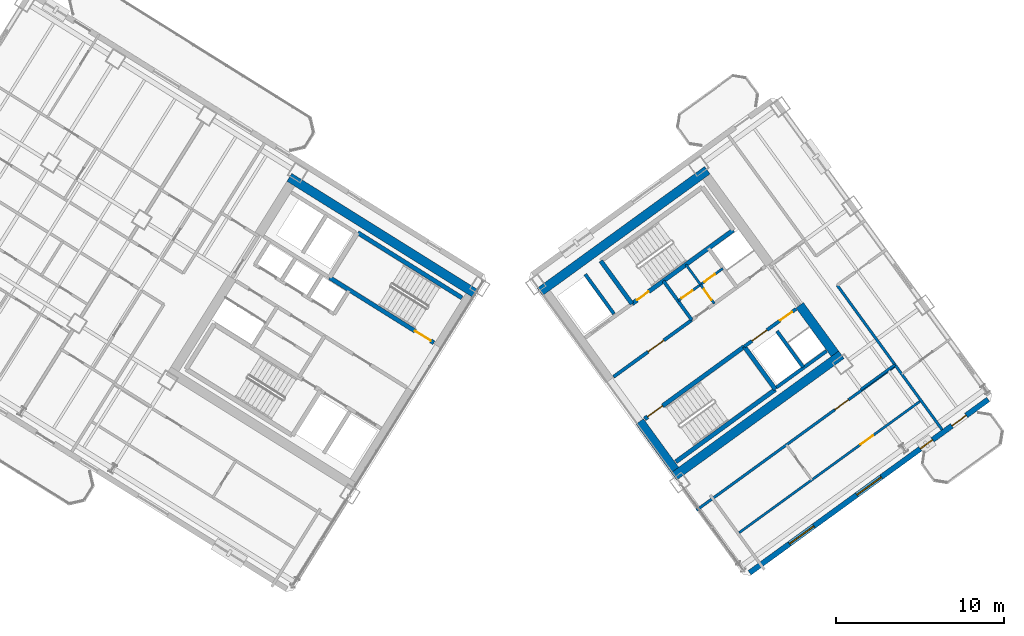
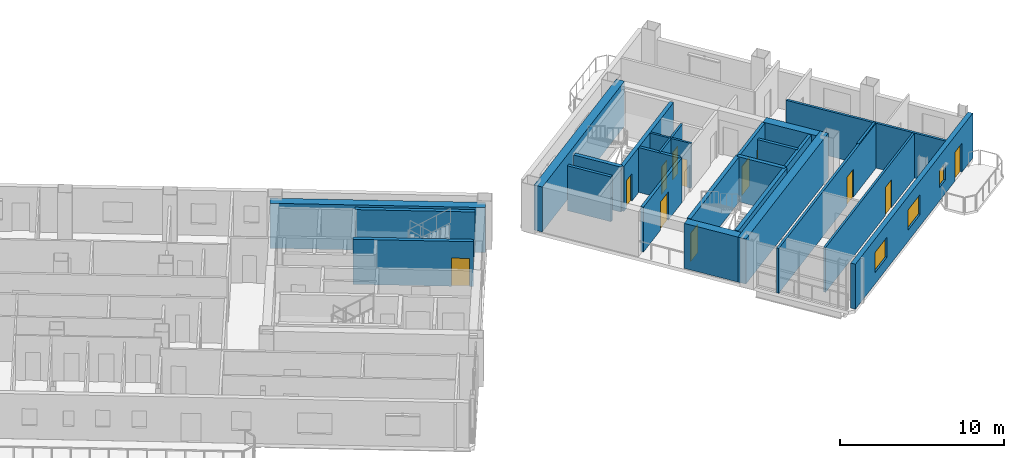
# One storey, part 13 of 19: 26 walls, 12 doors, 3 windows, 15 openings.
"""IFC4 building model written with IfcOpenShell, lengths in metres."""

from ifc_helpers import new_model, si_unit, direction, frame, frame_2d, origin, place, context, subcontext, project, spatial, rectangle, extrude, source, transform, mapped, material, layer, layer_set, type_object, element, fill, save


model = new_model("IFC4")

# Units and contexts
model_context = context("Model", 3, precision=1e-05, world=origin(), true_north=direction((0.0, 1.0)))
body_context = subcontext(model_context, "Body", "Model", "MODEL_VIEW")
ifc_project = project(units=[si_unit("LENGTHUNIT", "METRE"), si_unit("AREAUNIT", "SQUARE_METRE"), si_unit("VOLUMEUNIT", "CUBIC_METRE"), si_unit("PLANEANGLEUNIT", "RADIAN"), si_unit("MASSUNIT", "GRAM", prefix="KILO")], contexts=[model_context])

# Site, building, storey
site_placement = place(None, origin())
site = spatial("IfcSite", under=ifc_project, at=site_placement, CompositionType="ELEMENT")
building_placement = place(site_placement, origin())
building = spatial("IfcBuilding", under=site, at=building_placement, Name="Tlacorven Tower", CompositionType="ELEMENT")
storey_placement = place(building_placement, frame((0.0, 0.0, 147.89990234375)))
storey = spatial("IfcBuildingStorey", under=building, at=storey_placement, Name="L37", CompositionType="ELEMENT", Elevation=147.89990234375)

# Walls
ifc_material_1 = material(Name="Concrete C60/75", Category="concrete")
ifc_layer_1 = layer(ifc_material_1, 0.550048828125)
ifc_layer_set_1 = layer_set([ifc_layer_1], Name="Concrete C60/75")
wall_type_1 = type_object("IfcWallType", Name="WL-COR-550", PredefinedType="SHEAR", material=ifc_layer_set_1)
wall_1_placement = place(storey_placement, frame((40.572998046875, 24.010009765625, 0.0), z_axis=(0.0, 0.0, 1.0), x_axis=(-0.848047359947, 0.529920442413, 0.0)))
element("IfcWall", 1, at=wall_1_placement, inside=storey, type_object=wall_type_1, Name="L37 W core shear wall S1", PredefinedType="SHEAR", context=body_context, shape_type="SweptSolid", body=[
    extrude(rectangle(XDim=13.139892578125, YDim=0.550048828125, at=frame_2d((6.56982421875, 0.0))), origin(), (0.0, 0.0, 1.0), 3.35009765625),
])
for number, where, z_axis, x_axis, name in (
    (2, (52.35888671875, 13.1396484375, 0.0), (0.0, 0.0, 1.0), (0.809014896919, 0.587788139183, 0.0), "L37 E core shear wall S1"),
    (3, (44.364990234375, 24.142333984375, 0.0), (0.0, 0.0, 1.0), (0.809024304885, 0.587775190107, 0.0), "L37 E core shear wall S2"),
):
    element("IfcWall", number, at=place(storey_placement, frame(where, z_axis=z_axis, x_axis=x_axis)), inside=storey, type_object=wall_type_1, Name=name, PredefinedType="SHEAR", context=body_context, shape_type="SweptSolid", body=[
        extrude(rectangle(XDim=12.340087890625, YDim=0.550048828125, at=frame_2d((6.169921875, 0.0))), origin(), (0.0, 0.0, 1.0), 3.35009765625),
    ])
for number, where, z_axis, x_axis, name in (
    (4, (52.419677734375, 13.52392578125, 0.0), (0.0, 0.0, 1.0), (-0.587802113096, 0.809004744015, 0.0), "L37 E core end wall E1.1"),
    (5, (61.9580078125, 20.453857421875, 0.0), (0.0, 0.0, 1.0), (-0.587802113096, 0.809004744015, 0.0), "L37 E core end wall E2.1"),
):
    element("IfcWall", number, at=place(storey_placement, frame(where, z_axis=z_axis, x_axis=x_axis)), inside=storey, type_object=wall_type_1, Name=name, PredefinedType="SHEAR", context=body_context, shape_type="SweptSolid", body=[
        extrude(rectangle(XDim=3.574951171875, YDim=0.550048828125, at=frame_2d((1.78759765625, 0.0))), origin(), (0.0, 0.0, 1.0), 3.35009765625),
    ])
ifc_material_2 = material(Name="Gypsum plasterboard acoustic partition", Category="gypsum")
ifc_layer_2 = layer(ifc_material_2, 0.159912109375)
ifc_layer_set_2 = layer_set([ifc_layer_2], Name="Gypsum plasterboard acoustic partition")
wall_type_2 = type_object("IfcWallType", Name="WL-DEM-160", PredefinedType="PARTITIONING", material=ifc_layer_set_2)
wall_2_placement = place(storey_placement, frame((63.5068359375, 18.322021484375, 0.0), z_axis=(0.0, 0.0, 1.0), x_axis=(0.809034604122, 0.587761013791, 0.0)))
element("IfcWall", 6, at=wall_2_placement, inside=storey, type_object=wall_type_2, Name="L37 partition 76", PredefinedType="PARTITIONING", context=body_context, shape_type="SweptSolid", body=[
    extrude(rectangle(XDim=2.510009765625, YDim=0.159912109375, at=frame_2d((1.2548828125, 0.0))), origin(), (0.0, 0.0, 1.0), 3.340087890625),
])
wall_3_placement = place(storey_placement, frame((68.35302734375, 15.922119140625, 0.0), z_axis=(0.0, 0.0, 1.0), x_axis=(-0.587783168305, 0.809018508476, 0.0)))
element("IfcWall", 7, at=wall_3_placement, inside=storey, type_object=wall_type_2, Name="L37 partition 78", PredefinedType="PARTITIONING", context=body_context, shape_type="SweptSolid", body=[
    extrude(rectangle(XDim=10.650146484375, YDim=0.159912109375, at=frame_2d((5.3251953125, 0.0))), origin(), (0.0, 0.0, 1.0), 3.340087890625),
])

# Wall, opening, door
wall_4_placement = place(storey_placement, frame((53.70458984375, 11.1259765625, 0.0), z_axis=(0.0, 0.0, 1.0), x_axis=(0.809014504436, 0.587788679384, 0.0)))
wall_4 = element("IfcWall", 8, at=wall_4_placement, inside=storey, type_object=wall_type_2, Name="L37 partition 84", PredefinedType="PARTITIONING", context=body_context, shape_type="SweptSolid", body=[
    extrude(rectangle(XDim=14.669921875, YDim=0.159912109375, at=frame_2d((7.3349609375, 0.0))), origin(), (0.0, 0.0, 1.0), 3.340087890625),
])
opening_1_placement = place(wall_4_placement, frame((10.199951171875, 0.0, 0.0)))
opening_1 = element("IfcOpeningElement", 9, at=opening_1_placement, cuts=wall_4, Name="Opening D11", PredefinedType="OPENING", context=body_context, shape_type="SweptSolid", body=[
    extrude(rectangle(XDim=1.0, YDim=2.10009765625, at=frame_2d((0.5, 1.050048828125))), frame((0.0, 0.08984375, 0.0), z_axis=(0.0, -1.0, 0.0), x_axis=(1.0, 0.0, 0.0)), (0.0, 0.0, 1.0), 0.179931640625),
])
ifc_material_3 = material(Name="Fire-rated steel door assembly", Category="steel")
door_type_1 = type_object("IfcDoorType", Name="DR-FLT-FD60-1000", OperationType="NOTDEFINED", PredefinedType="DOOR", material=ifc_material_3)
shared_shape_1 = source(origin(), body_context, "Body", "SweptSolid", [
    extrude(rectangle(XDim=1.0, YDim=2.10009765625, at=frame_2d((0.5, 1.050048828125))), frame((0.0, 0.02490234375, 0.0), z_axis=(0.0, -1.0, 0.0), x_axis=(1.0, 0.0, 0.0)), (0.0, 0.0, 1.0), 0.050048828125),
])
door_1_placement = place(opening_1_placement, origin())
door_1 = element("IfcDoor", 10, at=door_1_placement, inside=storey, type_object=door_type_1, Name="L37 door 053", OperationType="SINGLE_SWING_LEFT", OverallHeight=2.10009765625, OverallWidth=1.0, PredefinedType="DOOR", context=body_context, shape_type="MappedRepresentation", body=[
    mapped(shared_shape_1, transform((0.0, 0.0, 0.0), scale=1.0)),
])
fill(opening_1, door_1)

# Wall, openings, door, windows
ifc_material_4 = material(Name="Precast concrete C45/55", Category="concrete")
ifc_layer_3 = layer(ifc_material_4, 0.320068359375)
ifc_layer_set_3 = layer_set([ifc_layer_3], Name="Precast concrete C45/55")
wall_type_3 = type_object("IfcWallType", Name="WL-EXT-320", PredefinedType="STANDARD", material=ifc_layer_set_3)
wall_5_placement = place(storey_placement, frame((71.097900390625, 17.73095703125, 0.0), z_axis=(0.0, 0.0, 1.0), x_axis=(-0.809021120468, -0.587779573171, 0.0)))
wall_5 = element("IfcWall", 11, at=wall_5_placement, inside=storey, type_object=wall_type_3, Name="L37 Masonry-Frame Recessed Facade Wall 6", PredefinedType="STANDARD", context=body_context, shape_type="SweptSolid", body=[
    extrude(rectangle(XDim=17.587646484375, YDim=0.320068359375, at=frame_2d((8.7939453125, 0.0))), origin(), (0.0, 0.0, 1.0), 3.35009765625),
])
opening_2_placement = place(wall_5_placement, frame((1.623779296875, 0.0, 0.0)))
opening_2 = element("IfcOpeningElement", 12, at=opening_2_placement, cuts=wall_5, Name="Opening D06", PredefinedType="OPENING", context=body_context, shape_type="SweptSolid", body=[
    extrude(rectangle(XDim=1.050048828125, YDim=2.14990234375, at=frame_2d((0.52490234375, 1.074951171875))), frame((0.0, 0.169921875, 0.0), z_axis=(0.0, -1.0, 0.0), x_axis=(1.0, 0.0, 0.0)), (0.0, 0.0, 1.0), 0.340087890625),
])
opening_3_placement = place(wall_5_placement, frame((4.103759765625, 0.0, 1.0)))
opening_3 = element("IfcOpeningElement", 13, at=opening_3_placement, cuts=wall_5, Name="Opening WN05", PredefinedType="OPENING", context=body_context, shape_type="SweptSolid", body=[
    extrude(rectangle(XDim=0.89990234375, YDim=1.25, at=frame_2d((0.449951171875, 0.625))), frame((0.0, 0.169921875, 0.0), z_axis=(0.0, -1.0, 0.0), x_axis=(1.0, 0.0, 0.0)), (0.0, 0.0, 1.0), 0.340087890625),
])
opening_4_placement = place(wall_5_placement, frame((7.878662109375, 0.0, 0.85009765625)))
opening_4 = element("IfcOpeningElement", 14, at=opening_4_placement, cuts=wall_5, Name="Opening WN01", PredefinedType="OPENING", context=body_context, shape_type="SweptSolid", body=[
    extrude(rectangle(XDim=1.800048828125, YDim=1.5, at=frame_2d((0.89990234375, 0.75))), frame((0.0, 0.169921875, 0.0), z_axis=(0.0, -1.0, 0.0), x_axis=(1.0, 0.0, 0.0)), (0.0, 0.0, 1.0), 0.340087890625),
])
opening_5_placement = place(wall_5_placement, frame((12.8486328125, 0.0, 0.85009765625)))
opening_5 = element("IfcOpeningElement", 15, at=opening_5_placement, cuts=wall_5, Name="Opening WN01", PredefinedType="OPENING", context=body_context, shape_type="SweptSolid", body=[
    extrude(rectangle(XDim=1.800048828125, YDim=1.5, at=frame_2d((0.89990234375, 0.75))), frame((0.0, 0.169921875, 0.0), z_axis=(0.0, -1.0, 0.0), x_axis=(1.0, 0.0, 0.0)), (0.0, 0.0, 1.0), 0.340087890625),
])
ifc_material_5 = material(Name="Powder-coated aluminium and timber door", Category="wood")
door_type_2 = type_object("IfcDoorType", Name="DR-EXT-BALC-1050", OperationType="NOTDEFINED", PredefinedType="DOOR", material=ifc_material_5)
shared_shape_2 = source(origin(), body_context, "Body", "SweptSolid", [
    extrude(rectangle(XDim=1.050048828125, YDim=2.14990234375, at=frame_2d((0.52490234375, 1.074951171875))), frame((0.0, 0.02490234375, 0.0), z_axis=(0.0, -1.0, 0.0), x_axis=(1.0, 0.0, 0.0)), (0.0, 0.0, 1.0), 0.050048828125),
])
door_2_placement = place(opening_2_placement, origin())
door_2 = element("IfcDoor", 16, at=door_2_placement, inside=storey, type_object=door_type_2, Name="L37 Outdoor Access Door BAL-L37-E-OUT", OperationType="SINGLE_SWING_LEFT", OverallHeight=2.14990234375, OverallWidth=1.050048828125, PredefinedType="DOOR", context=body_context, shape_type="MappedRepresentation", body=[
    mapped(shared_shape_2, transform((0.0, 0.0, 0.0), scale=1.0)),
])
fill(opening_2, door_2)
ifc_material_6 = material(Name="Dark solar low-E double glazing in anodised aluminium frame", Category="aluminium")
window_type_1 = type_object("IfcWindowType", Name="WN-APT-1800X1650", PartitioningType="SINGLE_PANEL", PredefinedType="WINDOW", material=ifc_material_6)
shared_shape_3 = source(origin(), body_context, "Body", "SweptSolid", [
    extrude(rectangle(XDim=1.800048828125, YDim=1.5, at=frame_2d((0.89990234375, 0.75))), frame((0.0, 0.030029296875, 0.0), z_axis=(0.0, -1.0, 0.0), x_axis=(1.0, 0.0, 0.0)), (0.0, 0.0, 1.0), 0.06005859375),
])
window_1_placement = place(opening_4_placement, origin())
window_1 = element("IfcWindow", 17, at=window_1_placement, inside=storey, type_object=window_type_1, Name="L37 Recessed Masonry-Frame Window L37-06.2", OverallHeight=1.5, OverallWidth=1.800048828125, PartitioningType="SINGLE_PANEL", PredefinedType="WINDOW", context=body_context, shape_type="MappedRepresentation", body=[
    mapped(shared_shape_3, transform((0.0, 0.0, 0.0), scale=1.0)),
])
fill(opening_4, window_1)
window_2_placement = place(opening_5_placement, origin())
window_2 = element("IfcWindow", 18, at=window_2_placement, inside=storey, type_object=window_type_1, Name="L37 Recessed Masonry-Frame Window L37-06.3", OverallHeight=1.5, OverallWidth=1.800048828125, PartitioningType="SINGLE_PANEL", PredefinedType="WINDOW", context=body_context, shape_type="MappedRepresentation", body=[
    mapped(shared_shape_3, transform((0.0, 0.0, 0.0), scale=1.0)),
])
fill(opening_5, window_2)
window_type_2 = type_object("IfcWindowType", Name="WN-APT-0900X1350", PartitioningType="SINGLE_PANEL", PredefinedType="WINDOW", material=ifc_material_6)
shared_shape_4 = source(origin(), body_context, "Body", "SweptSolid", [
    extrude(rectangle(XDim=0.89990234375, YDim=1.25, at=frame_2d((0.449951171875, 0.625))), frame((0.0, 0.030029296875, 0.0), z_axis=(0.0, -1.0, 0.0), x_axis=(1.0, 0.0, 0.0)), (0.0, 0.0, 1.0), 0.06005859375),
])
window_3_placement = place(opening_3_placement, origin())
window_3 = element("IfcWindow", 19, at=window_3_placement, inside=storey, type_object=window_type_2, Name="L37 Recessed Masonry-Frame Window L37-06.1", OverallHeight=1.25, OverallWidth=0.89990234375, PartitioningType="SINGLE_PANEL", PredefinedType="WINDOW", context=body_context, shape_type="MappedRepresentation", body=[
    mapped(shared_shape_4, transform((0.0, 0.0, 0.0), scale=1.0)),
])
fill(opening_3, window_3)

# Wall, opening, door
ifc_material_7 = material(Name="Moisture-resistant gypsum plumbing wall", Category="gypsum")
ifc_layer_4 = layer(ifc_material_7, 0.139892578125)
ifc_layer_set_4 = layer_set([ifc_layer_4], Name="Moisture-resistant gypsum plumbing wall")
wall_type_4 = type_object("IfcWallType", Name="WL-PLM-140", PredefinedType="PLUMBINGWALL", material=ifc_layer_set_4)
wall_6_placement = place(storey_placement, frame((54.767578125, 23.443359375, 0.0), z_axis=(0.0, 0.0, 1.0), x_axis=(-0.587736077749, 0.809052719489, 0.0)))
wall_6 = element("IfcWall", 20, at=wall_6_placement, inside=storey, type_object=wall_type_4, Name="L37 partition 42", PredefinedType="PLUMBINGWALL", context=body_context, shape_type="SweptSolid", body=[
    extrude(rectangle(XDim=1.39990234375, YDim=0.139892578125, at=frame_2d((0.699951171875, 0.0))), origin(), (0.0, 0.0, 1.0), 3.340087890625),
])
opening_6_placement = place(wall_6_placement, frame((0.280029296875, 0.0, 0.0)))
opening_6 = element("IfcOpeningElement", 21, at=opening_6_placement, cuts=wall_6, Name="Opening D22", PredefinedType="OPENING", context=body_context, shape_type="SweptSolid", body=[
    extrude(rectangle(XDim=0.780029296875, YDim=2.050048828125, at=frame_2d((0.39013671875, 1.02490234375))), frame((0.0, 0.080078125, 0.0), z_axis=(0.0, -1.0, 0.0), x_axis=(1.0, 0.0, 0.0)), (0.0, 0.0, 1.0), 0.159912109375),
])
door_type_3 = type_object("IfcDoorType", Name="DR-INT-WET-0780", OperationType="NOTDEFINED", PredefinedType="DOOR", material=ifc_material_5)
shared_shape_5 = source(origin(), body_context, "Body", "SweptSolid", [
    extrude(rectangle(XDim=0.780029296875, YDim=2.050048828125, at=frame_2d((0.39013671875, 1.02490234375))), frame((0.0, 0.02490234375, 0.0), z_axis=(0.0, -1.0, 0.0), x_axis=(1.0, 0.0, 0.0)), (0.0, 0.0, 1.0), 0.050048828125),
])
door_3_placement = place(opening_6_placement, origin())
door_3 = element("IfcDoor", 22, at=door_3_placement, inside=storey, type_object=door_type_3, Name="L37 door 020", OperationType="SINGLE_SWING_LEFT", OverallHeight=2.050048828125, OverallWidth=0.780029296875, PredefinedType="DOOR", context=body_context, shape_type="MappedRepresentation", body=[
    mapped(shared_shape_5, transform((0.0, 0.0, 0.0), scale=1.0)),
])
fill(opening_6, door_3)

# Wall
wall_7_placement = place(storey_placement, frame((53.94482421875, 24.575927734375, 0.0), z_axis=(0.0, 0.0, 1.0), x_axis=(-0.587897037186, 0.808935766095, 0.0)))
element("IfcWall", 23, at=wall_7_placement, inside=storey, type_object=wall_type_4, Name="L37 partition 43", PredefinedType="PLUMBINGWALL", context=body_context, shape_type="SweptSolid", body=[
    extrude(rectangle(XDim=1.47998046875, YDim=0.139892578125, at=frame_2d((0.739990234375, 0.0))), origin(), (0.0, 0.0, 1.0), 3.340087890625),
])

# Wall, openings, doors
wall_8_placement = place(storey_placement, frame((52.617919921875, 23.612060546875, 0.0), z_axis=(0.0, 0.0, 1.0), x_axis=(0.809009587469, 0.587795446889, 0.0)))
wall_8 = element("IfcWall", 24, at=wall_8_placement, inside=storey, type_object=wall_type_4, Name="L37 partition 44", PredefinedType="PLUMBINGWALL", context=body_context, shape_type="SweptSolid", body=[
    extrude(rectangle(XDim=3.280029296875, YDim=0.139892578125, at=frame_2d((1.64013671875, 0.0))), origin(), (0.0, 0.0, 1.0), 3.340087890625),
])
opening_7_placement = place(wall_8_placement, frame((0.25, 0.0, 0.0)))
opening_7 = element("IfcOpeningElement", 25, at=opening_7_placement, cuts=wall_8, Name="Opening D22", PredefinedType="OPENING", context=body_context, shape_type="SweptSolid", body=[
    extrude(rectangle(XDim=0.780029296875, YDim=2.050048828125, at=frame_2d((0.39013671875, 1.02490234375))), frame((0.0, 0.080078125, 0.0), z_axis=(0.0, -1.0, 0.0), x_axis=(1.0, 0.0, 0.0)), (0.0, 0.0, 1.0), 0.159912109375),
])
opening_8_placement = place(wall_8_placement, frame((1.919921875, 0.0, 0.0)))
opening_8 = element("IfcOpeningElement", 26, at=opening_8_placement, cuts=wall_8, Name="Opening D22", PredefinedType="OPENING", context=body_context, shape_type="SweptSolid", body=[
    extrude(rectangle(XDim=0.780029296875, YDim=2.050048828125, at=frame_2d((0.39013671875, 1.02490234375))), frame((0.0, 0.080078125, 0.0), z_axis=(0.0, -1.0, 0.0), x_axis=(1.0, 0.0, 0.0)), (0.0, 0.0, 1.0), 0.159912109375),
])
door_4_placement = place(opening_7_placement, origin())
door_4 = element("IfcDoor", 27, at=door_4_placement, inside=storey, type_object=door_type_3, Name="L37 door 021", OperationType="SINGLE_SWING_RIGHT", OverallHeight=2.050048828125, OverallWidth=0.780029296875, PredefinedType="DOOR", context=body_context, shape_type="MappedRepresentation", body=[
    mapped(shared_shape_5, transform((0.0, 0.0, 0.0), scale=1.0)),
])
fill(opening_7, door_4)
door_5_placement = place(opening_8_placement, origin())
door_5 = element("IfcDoor", 28, at=door_5_placement, inside=storey, type_object=door_type_3, Name="L37 door 022", OperationType="SINGLE_SWING_LEFT", OverallHeight=2.050048828125, OverallWidth=0.780029296875, PredefinedType="DOOR", context=body_context, shape_type="MappedRepresentation", body=[
    mapped(shared_shape_5, transform((0.0, 0.0, 0.0), scale=1.0)),
])
fill(opening_8, door_5)

# Wall, opening, door
wall_9_placement = place(storey_placement, frame((56.24853515625, 9.78515625, 0.0), z_axis=(0.0, 0.0, 1.0), x_axis=(0.809011747655, 0.587792473715, 0.0)))
wall_9 = element("IfcWall", 29, at=wall_9_placement, inside=storey, type_object=wall_type_4, Name="L37 partition 86", PredefinedType="PLUMBINGWALL", context=body_context, shape_type="SweptSolid", body=[
    extrude(rectangle(XDim=13.400146484375, YDim=0.139892578125, at=frame_2d((6.7001953125, 0.0))), origin(), (0.0, 0.0, 1.0), 3.340087890625),
])
opening_9_placement = place(wall_9_placement, frame((8.93994140625, 0.0, 0.0)))
opening_9 = element("IfcOpeningElement", 30, at=opening_9_placement, cuts=wall_9, Name="Opening D12", PredefinedType="OPENING", context=body_context, shape_type="SweptSolid", body=[
    extrude(rectangle(XDim=0.919921875, YDim=2.080078125, at=frame_2d((0.4599609375, 1.0400390625))), frame((0.0, 0.080078125, 0.0), z_axis=(0.0, -1.0, 0.0), x_axis=(1.0, 0.0, 0.0)), (0.0, 0.0, 1.0), 0.159912109375),
])
door_type_4 = type_object("IfcDoorType", Name="DR-INT-ROOM-0920", OperationType="NOTDEFINED", PredefinedType="DOOR", material=ifc_material_5)
shared_shape_6 = source(origin(), body_context, "Body", "SweptSolid", [
    extrude(rectangle(XDim=0.919921875, YDim=2.080078125, at=frame_2d((0.4599609375, 1.0400390625))), frame((0.0, 0.02490234375, 0.0), z_axis=(0.0, -1.0, 0.0), x_axis=(1.0, 0.0, 0.0)), (0.0, 0.0, 1.0), 0.050048828125),
])
door_6_placement = place(opening_9_placement, origin())
door_6 = element("IfcDoor", 31, at=door_6_placement, inside=storey, type_object=door_type_4, Name="L37 door 054", OperationType="SINGLE_SWING_RIGHT", OverallHeight=2.080078125, OverallWidth=0.919921875, PredefinedType="DOOR", context=body_context, shape_type="MappedRepresentation", body=[
    mapped(shared_shape_6, transform((0.0, 0.0, 0.0), scale=1.0)),
])
fill(opening_9, door_6)

ifc_material_8 = material(Name="Concrete C40/50", Category="concrete")
ifc_layer_5 = layer(ifc_material_8, 0.199951171875)
ifc_layer_set_5 = layer_set([ifc_layer_5], Name="Concrete C40/50")
wall_type_5 = type_object("IfcWallType", Name="WL-SHF-200", PredefinedType="STANDARD", material=ifc_layer_set_5)
wall_10_placement = place(storey_placement, frame((48.75830078125, 19.0771484375, 0.0), z_axis=(0.0, 0.0, 1.0), x_axis=(0.809005065155, 0.587801671104, 0.0)))
wall_10 = element("IfcWall", 32, at=wall_10_placement, inside=storey, type_object=wall_type_5, Name="L37 Core E Smoke Lobby Wall", PredefinedType="STANDARD", context=body_context, shape_type="SweptSolid", body=[
    extrude(rectangle(XDim=5.767822265625, YDim=0.199951171875, at=frame_2d((2.8837890625, 0.0))), origin(), (0.0, 0.0, 1.0), 3.340087890625),
])
opening_10_placement = place(wall_10_placement, frame((2.548095703125, 0.0, 0.0)))
opening_10 = element("IfcOpeningElement", 33, at=opening_10_placement, cuts=wall_10, Name="Opening D09", PredefinedType="OPENING", context=body_context, shape_type="SweptSolid", body=[
    extrude(rectangle(XDim=1.14990234375, YDim=2.10009765625, at=frame_2d((0.574951171875, 1.050048828125))), frame((0.0, 0.10986328125, 0.0), z_axis=(0.0, -1.0, 0.0), x_axis=(1.0, 0.0, 0.0)), (0.0, 0.0, 1.0), 0.219970703125),
])
door_type_5 = type_object("IfcDoorType", Name="DR-FFL-FD60-1150", OperationType="NOTDEFINED", PredefinedType="DOOR", material=ifc_material_3)
shared_shape_7 = source(origin(), body_context, "Body", "SweptSolid", [
    extrude(rectangle(XDim=1.14990234375, YDim=2.10009765625, at=frame_2d((0.574951171875, 1.050048828125))), frame((0.0, 0.02490234375, 0.0), z_axis=(0.0, -1.0, 0.0), x_axis=(1.0, 0.0, 0.0)), (0.0, 0.0, 1.0), 0.050048828125),
])
door_7_placement = place(opening_10_placement, origin())
door_7 = element("IfcDoor", 34, at=door_7_placement, inside=storey, type_object=door_type_5, Name="L37 Firefighting Lobby E Fire Door", OperationType="SINGLE_SWING_LEFT", OverallHeight=2.10009765625, OverallWidth=1.14990234375, PredefinedType="DOOR", context=body_context, shape_type="MappedRepresentation", body=[
    mapped(shared_shape_7, transform((0.0, 0.0, 0.0), scale=1.0)),
])
fill(opening_10, door_7)

# Wall, openings, doors
wall_11_placement = place(storey_placement, frame((56.552978515625, 20.884033203125, 0.0), z_axis=(0.0, 0.0, 1.0), x_axis=(0.809023564264, 0.58777620951, 0.0)))
wall_11 = element("IfcWall", 35, at=wall_11_placement, inside=storey, type_object=wall_type_5, Name="L37 Core E South Lift Shaft Wall", PredefinedType="STANDARD", context=body_context, shape_type="SweptSolid", body=[
    extrude(rectangle(XDim=3.818115234375, YDim=0.199951171875, at=frame_2d((1.9091796875, 0.0))), origin(), (0.0, 0.0, 1.0), 3.340087890625),
])
opening_11_placement = place(wall_11_placement, frame((0.570068359375, 0.0, 0.0)))
opening_11 = element("IfcOpeningElement", 36, at=opening_11_placement, cuts=wall_11, Name="Opening LD01", PredefinedType="OPENING", context=body_context, shape_type="SweptSolid", body=[
    extrude(rectangle(XDim=1.10009765625, YDim=2.14990234375, at=frame_2d((0.550048828125, 1.074951171875))), frame((0.0, 0.10986328125, 0.0), z_axis=(0.0, -1.0, 0.0), x_axis=(1.0, 0.0, 0.0)), (0.0, 0.0, 1.0), 0.219970703125),
])
opening_12_placement = place(wall_11_placement, frame((2.64990234375, 0.0, 0.0)))
opening_12 = element("IfcOpeningElement", 37, at=opening_12_placement, cuts=wall_11, Name="Opening D19", PredefinedType="OPENING", context=body_context, shape_type="SweptSolid", body=[
    extrude(rectangle(XDim=0.860107421875, YDim=2.050048828125, at=frame_2d((0.43017578125, 1.02490234375))), frame((0.0, 0.10986328125, 0.0), z_axis=(0.0, -1.0, 0.0), x_axis=(1.0, 0.0, 0.0)), (0.0, 0.0, 1.0), 0.219970703125),
])
door_type_6 = type_object("IfcDoorType", Name="DR-RSR-FD60-0860", OperationType="NOTDEFINED", PredefinedType="DOOR", material=ifc_material_3)
shared_shape_8 = source(origin(), body_context, "Body", "SweptSolid", [
    extrude(rectangle(XDim=0.860107421875, YDim=2.050048828125, at=frame_2d((0.43017578125, 1.02490234375))), frame((0.0, 0.02490234375, 0.0), z_axis=(0.0, -1.0, 0.0), x_axis=(1.0, 0.0, 0.0)), (0.0, 0.0, 1.0), 0.050048828125),
])
door_8_placement = place(opening_12_placement, origin())
door_8 = element("IfcDoor", 38, at=door_8_placement, inside=storey, type_object=door_type_6, Name="L37 Smoke Extract Riser Access Door", OperationType="SINGLE_SWING_RIGHT", OverallHeight=2.050048828125, OverallWidth=0.860107421875, PredefinedType="DOOR", context=body_context, shape_type="MappedRepresentation", body=[
    mapped(shared_shape_8, transform((0.0, 0.0, 0.0), scale=1.0)),
])
fill(opening_12, door_8)
door_type_7 = type_object("IfcDoorType", Name="DR-LFT-SLID-1100", OperationType="DOUBLE_DOOR_SLIDING", PredefinedType="DOOR", material=ifc_material_3)
shared_shape_9 = source(origin(), body_context, "Body", "SweptSolid", [
    extrude(rectangle(XDim=1.10009765625, YDim=2.14990234375, at=frame_2d((0.550048828125, 1.074951171875))), frame((0.0, 0.02490234375, 0.0), z_axis=(0.0, -1.0, 0.0), x_axis=(1.0, 0.0, 0.0)), (0.0, 0.0, 1.0), 0.050048828125),
])
door_9_placement = place(opening_11_placement, origin())
door_9 = element("IfcDoor", 39, at=door_9_placement, inside=storey, type_object=door_type_7, Name="L37 Lift PL-M4 Sliding Landing Door", OperationType="DOUBLE_DOOR_SLIDING", OverallHeight=2.14990234375, OverallWidth=1.10009765625, PredefinedType="DOOR", context=body_context, shape_type="MappedRepresentation", body=[
    mapped(shared_shape_9, transform((0.0, 0.0, 0.0), scale=1.0)),
])
fill(opening_11, door_9)

# Walls
wall_12_placement = place(storey_placement, frame((48.78564453125, 22.830078125, 0.0), z_axis=(0.0, 0.0, 1.0), x_axis=(-0.587783856777, 0.809018008275, 0.0)))
element("IfcWall", 40, at=wall_12_placement, inside=storey, type_object=wall_type_5, Name="L37 partition 34", PredefinedType="STANDARD", context=body_context, shape_type="SweptSolid", body=[
    extrude(rectangle(XDim=2.919921875, YDim=0.199951171875, at=frame_2d((1.4599609375, 0.0))), origin(), (0.0, 0.0, 1.0), 3.340087890625),
])
wall_13_placement = place(storey_placement, frame((60.066650390625, 19.654541015625, 0.0), z_axis=(0.0, 0.0, 1.0), x_axis=(-0.587800520745, 0.809005900975, 0.0)))
element("IfcWall", 41, at=wall_13_placement, inside=storey, type_object=wall_type_5, Name="L37 partition 35", PredefinedType="STANDARD", context=body_context, shape_type="SweptSolid", body=[
    extrude(rectangle(XDim=2.659912109375, YDim=0.199951171875, at=frame_2d((1.330078125, 0.0))), origin(), (0.0, 0.0, 1.0), 3.340087890625),
])
wall_14_placement = place(storey_placement, frame((58.47216796875, 18.446533203125, 0.0), z_axis=(0.0, 0.0, 1.0), x_axis=(0.809018631237, 0.587782999339, 0.0)))
element("IfcWall", 42, at=wall_14_placement, inside=storey, type_object=wall_type_5, Name="L37 partition 37", PredefinedType="STANDARD", context=body_context, shape_type="SweptSolid", body=[
    extrude(rectangle(XDim=3.697998046875, YDim=0.199951171875, at=frame_2d((1.84912109375, 0.0))), origin(), (0.0, 0.0, 1.0), 3.340087890625),
])
wall_15_placement = place(storey_placement, frame((53.424560546875, 22.467529296875, 0.0), z_axis=(0.0, 0.0, 1.0), x_axis=(-0.5877230039, 0.809062216821, 0.0)))
element("IfcWall", 43, at=wall_15_placement, inside=storey, type_object=wall_type_5, Name="L37 partition 39", PredefinedType="STANDARD", context=body_context, shape_type="SweptSolid", body=[
    extrude(rectangle(XDim=2.8798828125, YDim=0.199951171875, at=frame_2d((1.43994140625, 0.0))), origin(), (0.0, 0.0, 1.0), 3.340087890625),
])
ifc_material_9 = material(Name="Concrete C50/60", Category="concrete")
ifc_layer_6 = layer(ifc_material_9, 0.260009765625)
ifc_layer_set_6 = layer_set([ifc_layer_6], Name="Concrete C50/60")
wall_type_6 = type_object("IfcWallType", Name="WL-STW-260", PredefinedType="SHEAR", material=ifc_layer_set_6)
wall_16_placement = place(storey_placement, frame((39.720947265625, 23.787841796875, 0.0), z_axis=(0.0, 0.0, 1.0), x_axis=(-0.848054434086, 0.529909121291, 0.0)))
element("IfcWall", 44, at=wall_16_placement, inside=storey, type_object=wall_type_6, Name="L37 Stair W2 Far Shear Wall", PredefinedType="SHEAR", context=body_context, shape_type="SweptSolid", body=[
    extrude(rectangle(XDim=7.330078125, YDim=0.260009765625, at=frame_2d((3.6650390625, 0.0))), origin(), (0.0, 0.0, 1.0), 3.35009765625),
])

# Wall, opening, door
wall_17_placement = place(storey_placement, frame((38.04638671875, 21.10791015625, 0.0), z_axis=(0.0, 0.0, 1.0), x_axis=(-0.848054434086, 0.529909121291, 0.0)))
wall_17 = element("IfcWall", 45, at=wall_17_placement, inside=storey, type_object=wall_type_6, Name="L37 Stair W2 Lobby Shear Wall", PredefinedType="SHEAR", context=body_context, shape_type="SweptSolid", body=[
    extrude(rectangle(XDim=7.330078125, YDim=0.260009765625, at=frame_2d((3.6650390625, 0.0))), origin(), (0.0, 0.0, 1.0), 3.35009765625),
])
opening_13_placement = place(wall_17_placement, frame((0.219970703125, 0.0, 0.0)))
opening_13 = element("IfcOpeningElement", 46, at=opening_13_placement, cuts=wall_17, Name="Opening D07", PredefinedType="OPENING", context=body_context, shape_type="SweptSolid", body=[
    extrude(rectangle(XDim=1.10009765625, YDim=2.10009765625, at=frame_2d((0.550048828125, 1.050048828125))), frame((0.0, 0.14013671875, 0.0), z_axis=(0.0, -1.0, 0.0), x_axis=(1.0, 0.0, 0.0)), (0.0, 0.0, 1.0), 0.280029296875),
])
door_type_8 = type_object("IfcDoorType", Name="DR-STR-FD90-1100", OperationType="NOTDEFINED", PredefinedType="DOOR", material=ifc_material_3)
shared_shape_10 = source(origin(), body_context, "Body", "SweptSolid", [
    extrude(rectangle(XDim=1.10009765625, YDim=2.10009765625, at=frame_2d((0.550048828125, 1.050048828125))), frame((0.0, 0.02490234375, 0.0), z_axis=(0.0, -1.0, 0.0), x_axis=(1.0, 0.0, 0.0)), (0.0, 0.0, 1.0), 0.050048828125),
])
door_10_placement = place(opening_13_placement, origin())
door_10 = element("IfcDoor", 47, at=door_10_placement, inside=storey, type_object=door_type_8, Name="L37 Exit Stair W2 Fire Door", OperationType="SINGLE_SWING_RIGHT", OverallHeight=2.10009765625, OverallWidth=1.10009765625, PredefinedType="DOOR", context=body_context, shape_type="MappedRepresentation", body=[
    mapped(shared_shape_10, transform((0.0, 0.0, 0.0), scale=1.0)),
])
fill(opening_13, door_10)

wall_18_placement = place(storey_placement, frame((49.863037109375, 23.439697265625, 0.0), z_axis=(0.0, 0.0, 1.0), x_axis=(0.809003474932, 0.587803859759, 0.0)))
wall_18 = element("IfcWall", 48, at=wall_18_placement, inside=storey, type_object=wall_type_6, Name="L37 Stair E1 Lobby Shear Wall", PredefinedType="SHEAR", context=body_context, shape_type="SweptSolid", body=[
    extrude(rectangle(XDim=7.4599609375, YDim=0.260009765625, at=frame_2d((3.72998046875, 0.0))), origin(), (0.0, 0.0, 1.0), 3.35009765625),
])
opening_14_placement = place(wall_18_placement, frame((0.360107421875, 0.0, 0.0)))
opening_14 = element("IfcOpeningElement", 49, at=opening_14_placement, cuts=wall_18, Name="Opening D19", PredefinedType="OPENING", context=body_context, shape_type="SweptSolid", body=[
    extrude(rectangle(XDim=0.860107421875, YDim=2.050048828125, at=frame_2d((0.43017578125, 1.02490234375))), frame((0.0, 0.14013671875, 0.0), z_axis=(0.0, -1.0, 0.0), x_axis=(1.0, 0.0, 0.0)), (0.0, 0.0, 1.0), 0.280029296875),
])
door_11_placement = place(opening_14_placement, frame((0.860107421875, 0.0, 0.0), z_axis=(0.0, 0.0, 1.0), x_axis=(-1.0, 0.0, 0.0)))
door_11 = element("IfcDoor", 50, at=door_11_placement, inside=storey, type_object=door_type_6, Name="L37 Exit Stair E1 Fire Door", OperationType="SINGLE_SWING_LEFT", OverallHeight=2.050048828125, OverallWidth=0.860107421875, PredefinedType="DOOR", context=body_context, shape_type="MappedRepresentation", body=[
    mapped(shared_shape_8, transform((0.0, 0.0, 0.0), scale=1.0)),
])
fill(opening_14, door_11)

# Walls
wall_19_placement = place(storey_placement, frame((49.85498046875, 23.433837890625, 0.0), z_axis=(0.0, 0.0, 1.0), x_axis=(-0.58776738483, 0.809029975545, 0.0)))
element("IfcWall", 51, at=wall_19_placement, inside=storey, type_object=wall_type_6, Name="L37 Stair E1 West Shear Wall", PredefinedType="SHEAR", context=body_context, shape_type="SweptSolid", body=[
    extrude(rectangle(XDim=3.16015625, YDim=0.260009765625, at=frame_2d((1.580078125, 0.0))), origin(), (0.0, 0.0, 1.0), 3.35009765625),
])
wall_20_placement = place(storey_placement, frame((52.47216796875, 14.01318359375, 0.0), z_axis=(0.0, 0.0, 1.0), x_axis=(0.809028366311, 0.587769599847, 0.0)))
element("IfcWall", 52, at=wall_20_placement, inside=storey, type_object=wall_type_6, Name="L37 Stair E2 Far Shear Wall", PredefinedType="SHEAR", context=body_context, shape_type="SweptSolid", body=[
    extrude(rectangle(XDim=7.330078125, YDim=0.260009765625, at=frame_2d((3.6650390625, 0.0))), origin(), (0.0, 0.0, 1.0), 3.35009765625),
])

# Wall, opening, door
wall_21_placement = place(storey_placement, frame((50.61474609375, 16.569580078125, 0.0), z_axis=(0.0, 0.0, 1.0), x_axis=(0.809028366311, 0.587769599847, 0.0)))
wall_21 = element("IfcWall", 53, at=wall_21_placement, inside=storey, type_object=wall_type_6, Name="L37 Stair E2 Lobby Shear Wall", PredefinedType="SHEAR", context=body_context, shape_type="SweptSolid", body=[
    extrude(rectangle(XDim=7.330078125, YDim=0.260009765625, at=frame_2d((3.6650390625, 0.0))), origin(), (0.0, 0.0, 1.0), 3.35009765625),
])
opening_15_placement = place(wall_21_placement, frame((0.219970703125, 0.0, 0.0)))
opening_15 = element("IfcOpeningElement", 54, at=opening_15_placement, cuts=wall_21, Name="Opening D07", PredefinedType="OPENING", context=body_context, shape_type="SweptSolid", body=[
    extrude(rectangle(XDim=1.10009765625, YDim=2.10009765625, at=frame_2d((0.550048828125, 1.050048828125))), frame((0.0, 0.14013671875, 0.0), z_axis=(0.0, -1.0, 0.0), x_axis=(1.0, 0.0, 0.0)), (0.0, 0.0, 1.0), 0.280029296875),
])
door_12_placement = place(opening_15_placement, origin())
door_12 = element("IfcDoor", 55, at=door_12_placement, inside=storey, type_object=door_type_8, Name="L37 Exit Stair E2 Fire Door", OperationType="SINGLE_SWING_RIGHT", OverallHeight=2.10009765625, OverallWidth=1.10009765625, PredefinedType="DOOR", context=body_context, shape_type="MappedRepresentation", body=[
    mapped(shared_shape_10, transform((0.0, 0.0, 0.0), scale=1.0)),
])
fill(opening_15, door_12)

# Wall
wall_22_placement = place(storey_placement, frame((58.410400390625, 18.327392578125, 0.0), z_axis=(0.0, 0.0, 1.0), x_axis=(-0.58776738483, 0.809029975545, 0.0)))
element("IfcWall", 56, at=wall_22_placement, inside=storey, type_object=wall_type_6, Name="L37 Stair E2 East Shear Wall", PredefinedType="SHEAR", context=body_context, shape_type="SweptSolid", body=[
    extrude(rectangle(XDim=3.16015625, YDim=0.260009765625, at=frame_2d((1.580078125, 0.0))), origin(), (0.0, 0.0, 1.0), 3.35009765625),
])

save(model, "model.ifc")
